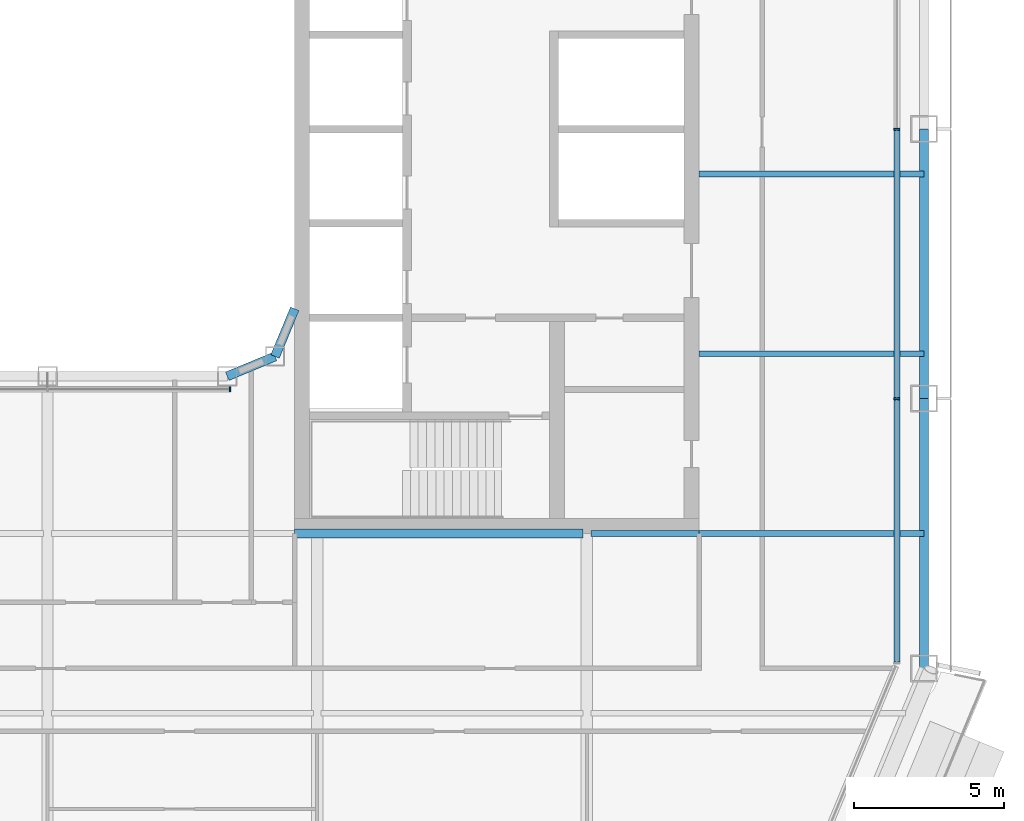
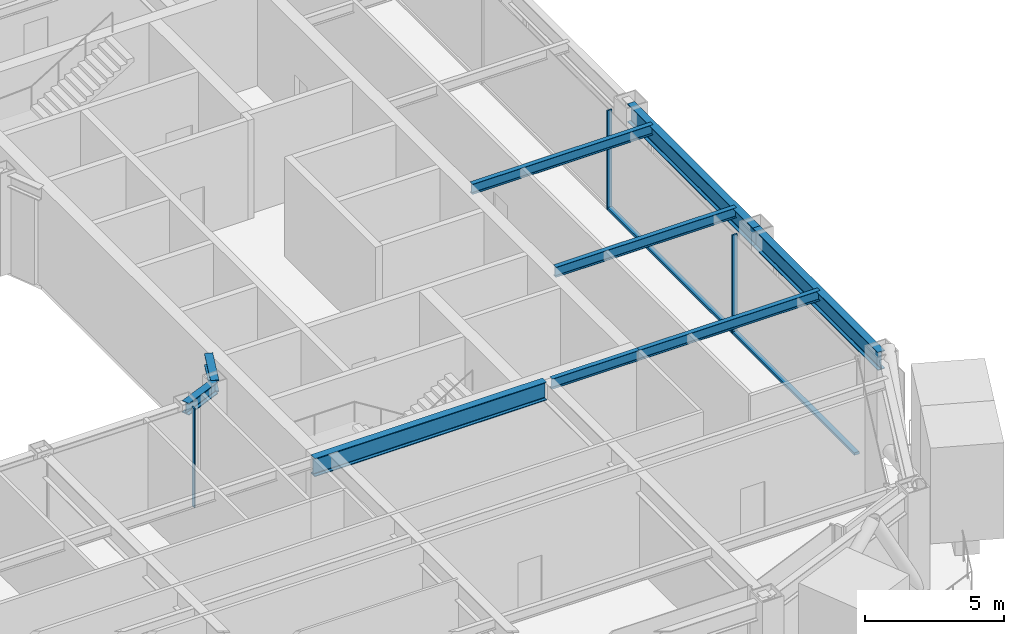
# One storey, part 5 of 23: 9 beams, 5 members, 2 elements without a shape of their own.
"""IFC4 building model written with IfcOpenShell, lengths in metres."""

from ifc_helpers import new_model, si_unit, direction, frame, origin, origin_2d, place, context, subcontext, project, spatial, rectangle, i_section, extrude, material, layer, layer_set, material_profile, profile_set, type_object, element, aggregate, save


model = new_model("IFC4")

# Units and contexts
model_context = context("Model", 3, precision=1e-05, world=origin(), true_north=direction((0.0, 1.0)))
body_context = subcontext(model_context, "Body", "Model", "MODEL_VIEW")
ifc_project = project(units=[si_unit("LENGTHUNIT", "METRE"), si_unit("AREAUNIT", "SQUARE_METRE"), si_unit("VOLUMEUNIT", "CUBIC_METRE"), si_unit("PLANEANGLEUNIT", "RADIAN"), si_unit("MASSUNIT", "GRAM", prefix="KILO")], contexts=[model_context])

# Site, building, storey
site_placement = place(None, origin())
site = spatial("IfcSite", under=ifc_project, at=site_placement, CompositionType="ELEMENT")
building_placement = place(site_placement, origin())
building = spatial("IfcBuilding", under=site, at=building_placement, Name="Siwar Civic Tower", CompositionType="ELEMENT")
storey_placement = place(building_placement, frame((0.0, 0.0, 163.199951171875)))
storey = spatial("IfcBuildingStorey", under=building, at=storey_placement, Name="L35", CompositionType="ELEMENT", Elevation=163.199951171875)

# Curtain wall, members
ifc_material_1 = material(Name="Aluminium and glass", Category="aluminium")
ifc_layer_1 = layer(ifc_material_1, 0.199951171875)
ifc_layer_set_1 = layer_set([ifc_layer_1], Name="Aluminium and glass")
curtain_wall_type_1 = type_object("IfcCurtainWallType", Name="ENV-CW-B", PredefinedType="NOTDEFINED", material=ifc_layer_set_1)
curtain_wall_1_placement = place(storey_placement, origin())
curtain_wall_1 = element("IfcCurtainWall", 1, at=curtain_wall_1_placement, inside=storey, type_object=curtain_wall_type_1, Name="Curtain wall B E", PredefinedType="NOTDEFINED")
ifc_material_2 = material(Name="Aluminium 6063-T6", Category="aluminium")
ifc_material_profile_1 = material_profile(ifc_material_2, rectangle(XDim=0.199951171875, YDim=0.06494140625, at=origin_2d()), Name="AL 200x65")
ifc_profile_set_1 = profile_set([ifc_material_profile_1], Name="Aluminium 6063-T6")
member_type_1 = type_object("IfcMemberType", Name="ENV-MULLION-B", PredefinedType="MULLION", material=ifc_profile_set_1)
member_1_placement = place(storey_placement, frame((28.35009765625, -9.0, 0.0), z_axis=(0.0, 0.0, 1.0), x_axis=(-1.0, 0.0, 0.0)))
member_1 = element("IfcMember", 2, at=member_1_placement, type_object=member_type_1, Name="Mullion B E 2", PredefinedType="MULLION", context=body_context, shape_type="SweptSolid", body=[
    extrude(rectangle(XDim=0.199951171875, YDim=0.06494140625, at=origin_2d()), origin(), (0.0, 0.0, 1.0), 4.35009765625),
])
member_2_placement = place(storey_placement, frame((28.35009765625, 0.0, 0.0), z_axis=(0.0, 0.0, 1.0), x_axis=(-1.0, 0.0, 0.0)))
member_2 = element("IfcMember", 3, at=member_2_placement, type_object=member_type_1, Name="Mullion B E 3", PredefinedType="MULLION", context=body_context, shape_type="SweptSolid", body=[
    extrude(rectangle(XDim=0.199951171875, YDim=0.06494140625, at=origin_2d()), origin(), (0.0, 0.0, 1.0), 4.35009765625),
])

# Curtain wall, member
ifc_material_3 = material(Name="Aluminium and glass", Category="aluminium")
ifc_layer_2 = layer(ifc_material_3, 0.179931640625)
ifc_layer_set_2 = layer_set([ifc_layer_2], Name="Aluminium and glass")
curtain_wall_type_2 = type_object("IfcCurtainWallType", Name="ENV-CW-W", PredefinedType="NOTDEFINED", material=ifc_layer_set_2)
curtain_wall_2_placement = place(storey_placement, origin())
curtain_wall_2 = element("IfcCurtainWall", 4, at=curtain_wall_2_placement, inside=storey, type_object=curtain_wall_type_2, Name="Curtain wall W WS", PredefinedType="NOTDEFINED")
ifc_material_4 = material(Name="Aluminium 6063-T6", Category="aluminium")
ifc_material_profile_2 = material_profile(ifc_material_4, rectangle(XDim=0.179931640625, YDim=0.06005859375, at=origin_2d()), Name="AL 180x60")
ifc_profile_set_2 = profile_set([ifc_material_profile_2], Name="Aluminium 6063-T6")
member_type_2 = type_object("IfcMemberType", Name="ENV-MULLION-W", PredefinedType="MULLION", material=ifc_profile_set_2)
member_3_placement = place(storey_placement, frame((6.08642578125, -8.68505859375, 0.0), z_axis=(0.0, 0.0, 1.0), x_axis=(0.0, 1.0, 0.0)))
member_3 = element("IfcMember", 5, at=member_3_placement, type_object=member_type_2, Name="Mullion W WS 3", PredefinedType="MULLION", context=body_context, shape_type="SweptSolid", body=[
    extrude(rectangle(XDim=0.179931640625, YDim=0.06005859375, at=origin_2d()), origin(), (0.0, 0.0, 1.0), 4.35009765625),
])
aggregate(curtain_wall_2, [member_3])

# Member
ifc_material_5 = material(Name="Aluminium 6063-T6", Category="aluminium")
ifc_material_profile_3 = material_profile(ifc_material_5, rectangle(XDim=0.199951171875, YDim=0.110107421875, at=origin_2d()), Name="AL 200x110")
ifc_profile_set_3 = profile_set([ifc_material_profile_3], Name="Aluminium 6063-T6")
member_type_3 = type_object("IfcMemberType", Name="ENV-TRANSOM-B", PredefinedType="USERDEFINED", material=ifc_profile_set_3)
member_4_placement = place(storey_placement, frame((28.35009765625, -17.78857421875, 0.054931640625), z_axis=(0.0, 1.0, 0.0), x_axis=(-1.0, 0.0, 0.0)))
member_4 = element("IfcMember", 6, at=member_4_placement, type_object=member_type_3, Name="Transom B E 1", ObjectType="TRANSOM", PredefinedType="USERDEFINED", context=body_context, shape_type="SweptSolid", body=[
    extrude(rectangle(XDim=0.199951171875, YDim=0.110107421875, at=origin_2d()), origin(), (0.0, 0.0, 1.0), 8.756103515625),
])

member_5_placement = place(storey_placement, frame((28.35009765625, -8.967529296875, 0.054931640625), z_axis=(0.0, 1.0, 0.0), x_axis=(-1.0, 0.0, 0.0)))
member_5 = element("IfcMember", 7, at=member_5_placement, type_object=member_type_3, Name="Transom B E 2", ObjectType="TRANSOM", PredefinedType="USERDEFINED", context=body_context, shape_type="SweptSolid", body=[
    extrude(rectangle(XDim=0.199951171875, YDim=0.110107421875, at=origin_2d()), origin(), (0.0, 0.0, 1.0), 8.93505859375),
])

aggregate(curtain_wall_1, [member_1, member_2, member_4, member_5])

# Beams
ifc_material_6 = material(Name="Steel S355", Category="steel")
ifc_material_profile_4 = material_profile(ifc_material_6, i_section(OverallWidth=0.18994140625, OverallDepth=0.449951171875, WebThickness=0.009521484375, FlangeThickness=0.0146484375, FilletRadius=0.02099609375, at=origin_2d()), Name="IPE450")
ifc_profile_set_4 = profile_set([ifc_material_profile_4], Name="Steel S355")
beam_type_1 = type_object("IfcBeamType", Name="STR-FB-IPE450", PredefinedType="JOIST", material=ifc_profile_set_4)
beam_1_placement = place(storey_placement, frame((18.1298828125, -13.5, 4.125), z_axis=(1.0, 0.0, 0.0), x_axis=(0.0, 1.0, 0.0)))
element("IfcBeam", 8, at=beam_1_placement, inside=storey, type_object=beam_type_1, Name="L35/bm/F019", PredefinedType="JOIST", context=body_context, shape_type="SweptSolid", body=[
    extrude(i_section(OverallWidth=0.18994140625, OverallDepth=0.449951171875, WebThickness=0.009521484375, FlangeThickness=0.0146484375, FilletRadius=0.02099609375, at=origin_2d()), origin(), (0.0, 0.0, 1.0), 3.6201171875),
])
for number, where, z_axis, x_axis, name in (
    (9, (21.75, -13.5, 4.125), (1.0, 0.0, 0.0), (0.0, 1.0, 0.0), "L35/bm/F020"),
    (10, (21.75, -7.5, 4.125), (1.0, 0.0, 0.0), (0.0, 1.0, 0.0), "L35/bm/F022"),
    (11, (21.75, -1.5, 4.125), (1.0, 0.0, 0.0), (0.0, 1.0, 0.0), "L35/bm/F024"),
):
    element("IfcBeam", number, at=place(storey_placement, frame(where, z_axis=z_axis, x_axis=x_axis)), inside=storey, type_object=beam_type_1, Name=name, PredefinedType="JOIST", context=body_context, shape_type="SweptSolid", body=[
        extrude(i_section(OverallWidth=0.18994140625, OverallDepth=0.449951171875, WebThickness=0.009521484375, FlangeThickness=0.0146484375, FilletRadius=0.02099609375, at=origin_2d()), origin(), (0.0, 0.0, 1.0), 7.5),
    ])
ifc_material_7 = material(Name="Steel S355", Category="steel")
ifc_material_profile_5 = material_profile(ifc_material_7, i_section(OverallWidth=0.300048828125, OverallDepth=0.800048828125, WebThickness=0.017578125, FlangeThickness=0.032958984375, FilletRadius=0.030029296875, at=origin_2d()), Name="HEB800")
ifc_profile_set_5 = profile_set([ifc_material_profile_5], Name="Steel S355")
beam_type_2 = type_object("IfcBeamType", Name="STR-PG-HEB800", PredefinedType="BEAM", material=ifc_profile_set_5)
beam_2_placement = place(storey_placement, frame((8.25, -13.5, 3.949951171875), z_axis=(1.0, 0.0, 0.0), x_axis=(0.0, 1.0, 0.0)))
element("IfcBeam", 12, at=beam_2_placement, inside=storey, type_object=beam_type_2, Name="L35/bm/F018", PredefinedType="BEAM", context=body_context, shape_type="SweptSolid", body=[
    extrude(i_section(OverallWidth=0.300048828125, OverallDepth=0.800048828125, WebThickness=0.017578125, FlangeThickness=0.032958984375, FilletRadius=0.030029296875, at=origin_2d()), origin(), (0.0, 0.0, 1.0), 9.6201171875),
])
ifc_material_8 = material(Name="Steel S355", Category="steel")
ifc_material_profile_6 = material_profile(ifc_material_8, i_section(OverallWidth=0.305908203125, OverallDepth=0.52392578125, WebThickness=0.02099609375, FlangeThickness=0.0400390625, FilletRadius=0.027099609375, at=origin_2d()), Name="HEM500")
ifc_profile_set_6 = profile_set([ifc_material_profile_6], Name="Steel S355")
beam_type_3 = type_object("IfcBeamType", Name="STR-RB-HEM500", PredefinedType="BEAM", material=ifc_profile_set_6)
for number, where, z_axis, x_axis, name in (
    (13, (6.0, -8.25, 4.088134765625), (0.923901072997, 0.382631424892, 0.0), (-0.382631424892, 0.923901072997, 0.0), "L35/bm/RS3"),
    (14, (7.591064453125, -7.591064453125, 4.088134765625), (0.382631424892, 0.923901072997, 0.0), (-0.923901072997, 0.382631424892, 0.0), "L35/bm/RSEE"),
):
    element("IfcBeam", number, at=place(storey_placement, frame(where, z_axis=z_axis, x_axis=x_axis)), inside=storey, type_object=beam_type_3, Name=name, PredefinedType="BEAM", context=body_context, shape_type="SweptSolid", body=[
        extrude(i_section(OverallWidth=0.305908203125, OverallDepth=0.52392578125, WebThickness=0.02099609375, FlangeThickness=0.0400390625, FilletRadius=0.027099609375, at=origin_2d()), origin(), (0.0, 0.0, 1.0), 1.72216796875),
    ])
ifc_material_9 = material(Name="Steel S355", Category="steel")
ifc_material_profile_7 = material_profile(ifc_material_9, i_section(OverallWidth=0.300048828125, OverallDepth=0.800048828125, WebThickness=0.017578125, FlangeThickness=0.032958984375, FilletRadius=0.030029296875, at=origin_2d()), Name="HEB800")
ifc_profile_set_7 = profile_set([ifc_material_profile_7], Name="Steel S355")
beam_type_4 = type_object("IfcBeamType", Name="STR-SB-HEB800", PredefinedType="BEAM", material=ifc_profile_set_7)
for number, where, z_axis, x_axis, name in (
    (15, (29.25, -18.0, 3.949951171875), (0.0, 1.0, 0.0), (-1.0, 0.0, 0.0), "L35/bm/SE-0"),
    (16, (29.25, -9.0, 3.949951171875), (0.0, 1.0, 0.0), (-1.0, 0.0, 0.0), "L35/bm/SE-1"),
):
    element("IfcBeam", number, at=place(storey_placement, frame(where, z_axis=z_axis, x_axis=x_axis)), inside=storey, type_object=beam_type_4, Name=name, PredefinedType="BEAM", context=body_context, shape_type="SweptSolid", body=[
        extrude(i_section(OverallWidth=0.300048828125, OverallDepth=0.800048828125, WebThickness=0.017578125, FlangeThickness=0.032958984375, FilletRadius=0.030029296875, at=origin_2d()), origin(), (0.0, 0.0, 1.0), 9.0),
    ])

save(model, "model.ifc")
